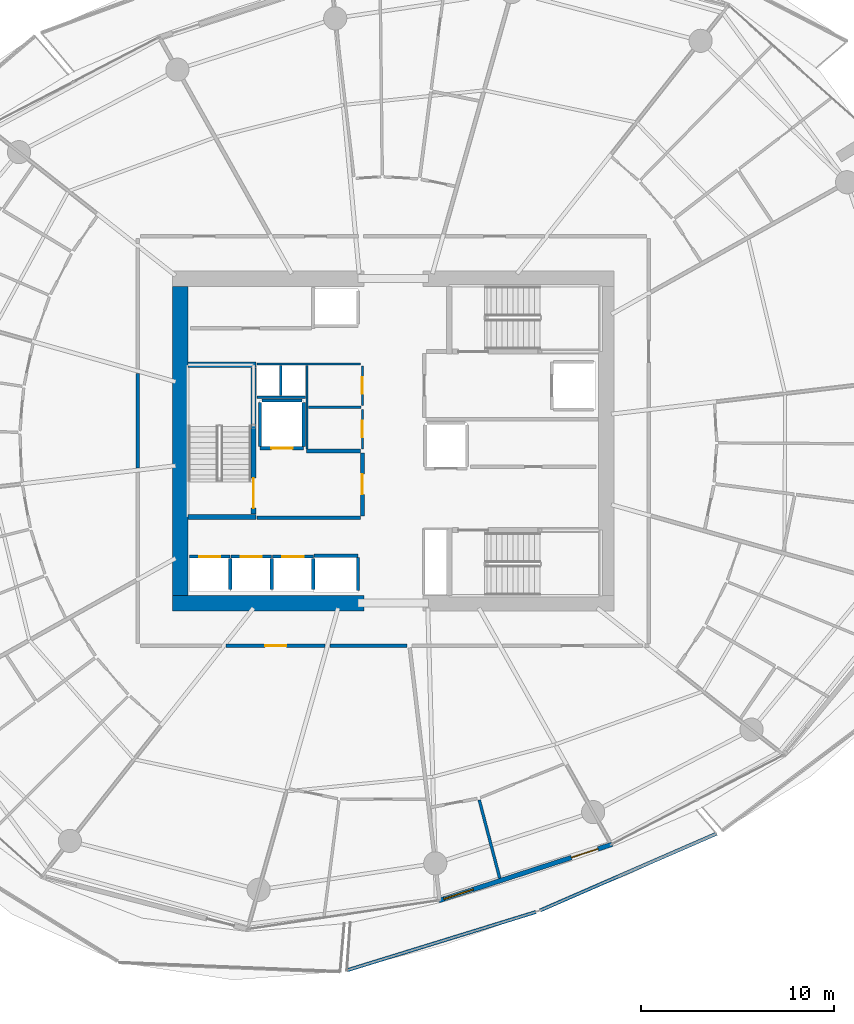
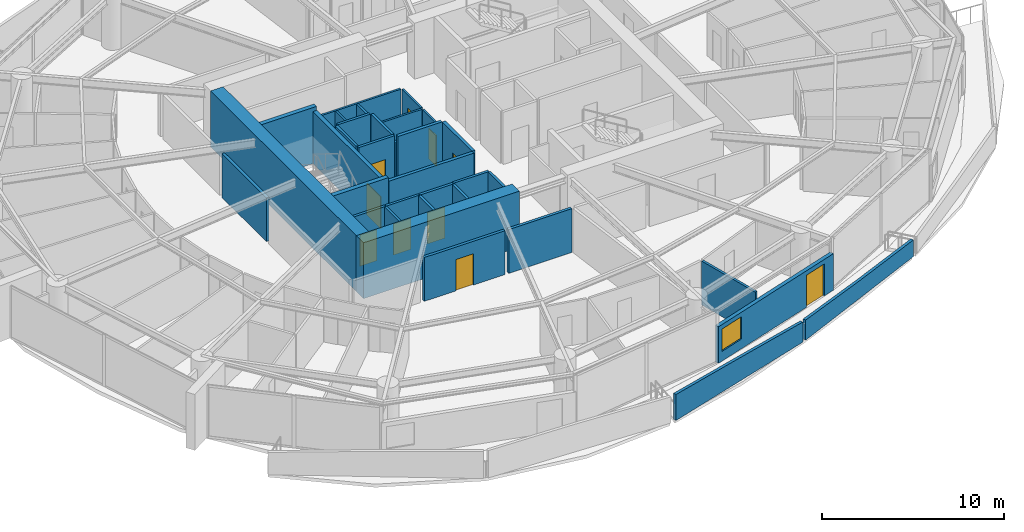
# One storey, part 12 of 23: 34 walls, 10 doors, 1 window, 11 openings.
"""IFC4 building model written with IfcOpenShell, lengths in metres."""

from ifc_helpers import new_model, si_unit, direction, frame, frame_2d, origin, place, context, subcontext, project, spatial, polyline, rectangle, outline, extrude, material, layer, layer_set, type_object, element, fill, save


model = new_model("IFC4")

# Units and contexts
model_context = context("Model", 3, precision=1e-05, world=origin(), true_north=direction((0.0, 1.0)))
body_context = subcontext(model_context, "Body", "Model", "MODEL_VIEW")
ifc_project = project(units=[si_unit("LENGTHUNIT", "METRE"), si_unit("AREAUNIT", "SQUARE_METRE"), si_unit("VOLUMEUNIT", "CUBIC_METRE"), si_unit("PLANEANGLEUNIT", "RADIAN"), si_unit("MASSUNIT", "GRAM", prefix="KILO")], contexts=[model_context])

# Site, building, storey
site_placement = place(None, origin())
site = spatial("IfcSite", under=ifc_project, at=site_placement, CompositionType="ELEMENT")
building_placement = place(site_placement, origin())
building = spatial("IfcBuilding", under=site, at=building_placement, Name="Kazma Halo Residences", CompositionType="ELEMENT")
storey_placement = place(building_placement, frame((0.0, 0.0, 82.64990234375)))
storey = spatial("IfcBuildingStorey", under=building, at=storey_placement, Name="L20", CompositionType="ELEMENT", Elevation=82.64990234375)

# Walls
ifc_material_1 = material(Name="White Concrete C50/60 Balustrade", Category="concrete")
ifc_layer_1 = layer(ifc_material_1, 0.179931640625)
ifc_layer_set_1 = layer_set([ifc_layer_1], Name="White Concrete C50/60 Balustrade")
wall_type_1 = type_object("IfcWallType", Name="WL-BAL-WAVE-180", PredefinedType="PARAPET", material=ifc_layer_set_1)
wall_1_placement = place(storey_placement, frame((46.011474609375, 14.594482421875, 0.0), z_axis=(0.0, 0.0, 1.0), x_axis=(0.955530222606, 0.294893190301, 0.0)))
element("IfcWall", 1, at=wall_1_placement, inside=storey, type_object=wall_type_1, Name="L20 white wave balustrade wall SSE.1", PredefinedType="PARAPET", context=body_context, shape_type="SweptSolid", body=[
    extrude(outline(polyline([(0.0, 0.0), (10.240966796875, 0.0), (10.240966796875, 1.34814453125), (5.12060546875, 1.56201171875), (0.0, 1.7470703125), (0.0, 0.0)])), frame((0.0, 0.08984375, 0.0), z_axis=(0.0, -1.0, 0.0), x_axis=(1.0, 0.0, 0.0)), (0.0, 0.0, 1.0), 0.179931640625),
])
wall_2_placement = place(storey_placement, frame((56.021728515625, 17.69775390625, 0.0), z_axis=(0.0, 0.0, 1.0), x_axis=(0.916910512906, 0.399092860527, 0.0)))
element("IfcWall", 2, at=wall_2_placement, inside=storey, type_object=wall_type_1, Name="L20 white wave balustrade wall SSE.2", PredefinedType="PARAPET", context=body_context, shape_type="SweptSolid", body=[
    extrude(outline(polyline([(0.0, 0.0), (9.954833984375, 0.0), (9.95458984375, 1.1201171875), (4.977294921875, 1.18212890625), (0.0, 1.34814453125), (0.0, 0.0)])), frame((0.0, 0.08984375, 0.0), z_axis=(0.0, -1.0, 0.0), x_axis=(1.0, 0.0, 0.0)), (0.0, 0.0, 1.0), 0.179931640625),
])
ifc_material_2 = material(Name="Concrete C80/95", Category="concrete")
ifc_layer_2 = layer(ifc_material_2, 0.800048828125)
ifc_layer_set_2 = layer_set([ifc_layer_2], Name="Concrete C80/95")
wall_type_2 = type_object("IfcWallType", Name="WL-CORE-800", PredefinedType="SHEAR", material=ifc_layer_set_2)
wall_3_placement = place(storey_placement, frame((37.0, 33.60009765625, 0.0), z_axis=(0.0, 0.0, 1.0), x_axis=(1.0, 0.0, 0.0)))
element("IfcWall", 3, at=wall_3_placement, inside=storey, type_object=wall_type_2, Name="L20 central core shear wall SW", PredefinedType="SHEAR", context=body_context, shape_type="SweptSolid", body=[
    extrude(rectangle(XDim=9.89990234375, YDim=0.800048828125, at=frame_2d((4.949951171875, 0.0))), origin(), (0.0, 0.0, 1.0), 3.75),
])
wall_4_placement = place(storey_placement, frame((37.39990234375, 34.0, 0.0), z_axis=(0.0, 0.0, 1.0), x_axis=(0.0, 1.0, 0.0)))
element("IfcWall", 4, at=wall_4_placement, inside=storey, type_object=wall_type_2, Name="L20 central core shear wall W", PredefinedType="SHEAR", context=body_context, shape_type="SweptSolid", body=[
    extrude(rectangle(XDim=16.0, YDim=0.800048828125, at=frame_2d((8.0, 0.0))), origin(), (0.0, 0.0, 1.0), 3.75),
])
ifc_material_3 = material(Name="Concrete C60/75", Category="concrete")
ifc_layer_3 = layer(ifc_material_3, 0.280029296875)
ifc_layer_set_3 = layer_set([ifc_layer_3], Name="Concrete C60/75")
wall_type_3 = type_object("IfcWallType", Name="WL-CORE-ST-280", PredefinedType="SHEAR", material=ifc_layer_set_3)
for number, where, z_axis, x_axis, name in (
    (5, (37.800048828125, 38.06005859375, 0.0), (0.0, 0.0, 1.0), (1.0, 0.0, 0.0), "L20 stairwell bearing wall ST01-S"),
    (6, (37.800048828125, 45.93994140625, 0.0), (0.0, 0.0, 1.0), (1.0, 0.0, 0.0), "L20 stairwell bearing wall ST01-N"),
):
    element("IfcWall", number, at=place(storey_placement, frame(where, z_axis=z_axis, x_axis=x_axis)), inside=storey, type_object=wall_type_3, Name=name, PredefinedType="SHEAR", context=body_context, shape_type="SweptSolid", body=[
        extrude(rectangle(XDim=3.5, YDim=0.280029296875, at=frame_2d((1.75, 0.0))), origin(), (0.0, 0.0, 1.0), 3.75),
    ])
ifc_material_4 = material(Name="Acoustic Twin-Stud Gypsum")
ifc_layer_4 = layer(ifc_material_4, 0.179931640625)
ifc_layer_set_4 = layer_set([ifc_layer_4], Name="Acoustic Twin-Stud Gypsum")
wall_type_4 = type_object("IfcWallType", Name="WL-DEM-180", PredefinedType="PARTITIONING", material=ifc_layer_set_4)
wall_5_placement = place(storey_placement, frame((35.199951171875, 45.489990234375, 0.0), z_axis=(0.0, 0.0, 1.0), x_axis=(0.0, -1.0, 0.0)))
element("IfcWall", 7, at=wall_5_placement, inside=storey, type_object=wall_type_4, Name="L20 Apartment 1 inner wall 6", PredefinedType="PARTITIONING", context=body_context, shape_type="SweptSolid", body=[
    extrude(rectangle(XDim=4.885009765625, YDim=0.179931640625, at=frame_2d((2.4423828125, 0.0))), origin(), (0.0, 0.0, 1.0), 2.940185546875),
])

# Wall, opening, door
wall_6_placement = place(storey_placement, frame((39.763671875, 31.39990234375, 0.0), z_axis=(0.0, 0.0, 1.0), x_axis=(1.0, 0.0, 0.0)))
wall_6 = element("IfcWall", 8, at=wall_6_placement, inside=storey, type_object=wall_type_4, Name="L20 Apartment 2 entrance corridor wall", PredefinedType="PARTITIONING", context=body_context, shape_type="SweptSolid", body=[
    extrude(rectangle(XDim=5.126708984375, YDim=0.179931640625, at=frame_2d((2.5634765625, 0.0))), origin(), (0.0, 0.0, 1.0), 2.940185546875),
])
opening_1_placement = place(wall_6_placement, frame((2.013427734375, 0.0, 0.0)))
opening_1 = element("IfcOpeningElement", 9, at=opening_1_placement, cuts=wall_6, Name="Opening DA-1100", PredefinedType="OPENING", context=body_context, shape_type="SweptSolid", body=[
    extrude(rectangle(XDim=1.10009765625, YDim=2.10009765625, at=frame_2d((0.550048828125, 1.050048828125))), frame((0.0, 0.099853515625, 0.0), z_axis=(0.0, -1.0, 0.0), x_axis=(1.0, 0.0, 0.0)), (0.0, 0.0, 1.0), 0.199951171875),
])
ifc_material_5 = material(Name="Acoustic Walnut Fire Leaf")
door_type_1 = type_object("IfcDoorType", Name="DR-FD60-1100", OperationType="NOTDEFINED", PredefinedType="DOOR", material=ifc_material_5)
door_1_placement = place(opening_1_placement, origin())
door_1 = element("IfcDoor", 10, at=door_1_placement, inside=storey, type_object=door_type_1, Name="L20 Apartment 2 entrance fire door", OperationType="SINGLE_SWING_LEFT", OverallHeight=2.10009765625, OverallWidth=1.10009765625, PredefinedType="DOOR", context=body_context, shape_type="SweptSolid", body=[
    extrude(rectangle(XDim=1.10009765625, YDim=2.10009765625, at=frame_2d((0.550048828125, 1.050048828125))), frame((0.0, 0.02490234375, 0.0), z_axis=(0.0, -1.0, 0.0), x_axis=(1.0, 0.0, 0.0)), (0.0, 0.0, 1.0), 0.050048828125),
])
fill(opening_1, door_1)

# Wall
wall_7_placement = place(storey_placement, frame((45.130615234375, 31.39990234375, 0.0), z_axis=(0.0, 0.0, 1.0), x_axis=(1.0, 0.0, 0.0)))
element("IfcWall", 11, at=wall_7_placement, inside=storey, type_object=wall_type_4, Name="L20 Apartment 2 inner wall 10", PredefinedType="PARTITIONING", context=body_context, shape_type="SweptSolid", body=[
    extrude(rectangle(XDim=4.00390625, YDim=0.179931640625, at=frame_2d((2.001953125, 0.0))), origin(), (0.0, 0.0, 1.0), 2.940185546875),
])

# Wall, openings, door, window
ifc_material_6 = material(Name="Insulated Pale-Metal Composite Wall")
ifc_layer_5 = layer(ifc_material_6, 0.239990234375)
ifc_layer_set_5 = layer_set([ifc_layer_5], Name="Insulated Pale-Metal Composite Wall")
wall_type_5 = type_object("IfcWallType", Name="WL-EXT-HOST-240", PredefinedType="SOLIDWALL", material=ifc_layer_set_5)
wall_8_placement = place(storey_placement, frame((50.76708984375, 18.202880859375, 0.0), z_axis=(0.0, 0.0, 1.0), x_axis=(0.951052494852, 0.30902937083, 0.0)))
wall_8 = element("IfcWall", 12, at=wall_8_placement, inside=storey, type_object=wall_type_5, Name="L20 exterior terrace-access wall B12", PredefinedType="SOLIDWALL", context=body_context, shape_type="SweptSolid", body=[
    extrude(rectangle(XDim=9.44384765625, YDim=0.239990234375, at=frame_2d((4.721923828125, 0.0))), origin(), (0.0, 0.0, 1.0), 2.4501953125),
])
opening_2_placement = place(wall_8_placement, frame((7.223876953125, 0.0, 0.0)))
opening_2 = element("IfcOpeningElement", 13, at=opening_2_placement, cuts=wall_8, Name="Opening DTR-1600", PredefinedType="OPENING", context=body_context, shape_type="SweptSolid", body=[
    extrude(rectangle(XDim=1.449951171875, YDim=2.14990234375, at=frame_2d((0.72509765625, 1.074951171875))), frame((0.0, 0.1298828125, 0.0), z_axis=(0.0, -1.0, 0.0), x_axis=(1.0, 0.0, 0.0)), (0.0, 0.0, 1.0), 0.260009765625),
])
opening_3_placement = place(wall_8_placement, frame((0.280029296875, 0.0, 0.64990234375)))
opening_3 = element("IfcOpeningElement", 14, at=opening_3_placement, cuts=wall_8, Name="Opening W-1800", PredefinedType="OPENING", context=body_context, shape_type="SweptSolid", body=[
    extrude(rectangle(XDim=1.60009765625, YDim=1.5, at=frame_2d((0.800048828125, 0.75))), frame((0.0, 0.1298828125, 0.0), z_axis=(0.0, -1.0, 0.0), x_axis=(1.0, 0.0, 0.0)), (0.0, 0.0, 1.0), 0.260009765625),
])
ifc_material_7 = material(Name="Aluminium AW-6063 T6 Double-Glazed Terrace Door", Category="aluminium")
door_type_2 = type_object("IfcDoorType", Name="DR-EXT-TERR-1600", OperationType="NOTDEFINED", PredefinedType="DOOR", material=ifc_material_7)
door_2_placement = place(opening_2_placement, origin())
door_2 = element("IfcDoor", 15, at=door_2_placement, inside=storey, type_object=door_type_2, Name="L20 B12 balcony terrace door", OperationType="DOUBLE_DOOR_SLIDING", OverallHeight=2.14990234375, OverallWidth=1.449951171875, PredefinedType="DOOR", context=body_context, shape_type="SweptSolid", body=[
    extrude(rectangle(XDim=1.449951171875, YDim=2.14990234375, at=frame_2d((0.72509765625, 1.074951171875))), frame((0.0, 0.02490234375, 0.0), z_axis=(0.0, -1.0, 0.0), x_axis=(1.0, 0.0, 0.0)), (0.0, 0.0, 1.0), 0.050048828125),
])
fill(opening_2, door_2)
ifc_material_8 = material(Name="Clear Triple-Silver Low-E Glass in Aluminium AW-6063 T6 Frame", Category="aluminium")
window_type = type_object("IfcWindowType", Name="WIN-RES-1800", PartitioningType="DOUBLE_PANEL_VERTICAL", PredefinedType="WINDOW", material=ifc_material_8)
window_placement = place(opening_3_placement, origin())
window = element("IfcWindow", 16, at=window_placement, inside=storey, type_object=window_type, Name="L20 B12 apartment window", OverallHeight=1.5, OverallWidth=1.60009765625, PartitioningType="SINGLE_PANEL", PredefinedType="WINDOW", context=body_context, shape_type="SweptSolid", body=[
    extrude(rectangle(XDim=1.60009765625, YDim=1.5, at=frame_2d((0.800048828125, 0.75))), frame((0.0, 0.030029296875, 0.0), z_axis=(0.0, -1.0, 0.0), x_axis=(1.0, 0.0, 0.0)), (0.0, 0.0, 1.0), 0.06005859375),
])
fill(opening_3, window)

# Wall, opening, door
ifc_material_9 = material(Name="Fire-Rated Blockwork Masonry", Category="masonry")
ifc_layer_6 = layer(ifc_material_9, 0.199951171875)
ifc_layer_set_6 = layer_set([ifc_layer_6], Name="Fire-Rated Blockwork Masonry")
wall_type_6 = type_object("IfcWallType", Name="WL-FLB-200", PredefinedType="PARTITIONING", material=ifc_layer_set_6)
wall_9_placement = place(storey_placement, frame((37.864990234375, 36.0048828125, 0.0), z_axis=(0.0, 0.0, 1.0), x_axis=(1.0, 0.0, 0.0)))
wall_9 = element("IfcWall", 17, at=wall_9_placement, inside=storey, type_object=wall_type_6, Name="L20 lift shaft PL-01 front wall", PredefinedType="PARTITIONING", context=body_context, shape_type="SweptSolid", body=[
    extrude(rectangle(XDim=2.110107421875, YDim=0.159912109375, at=frame_2d((1.05517578125, 0.0))), origin(), (0.0, 0.0, 1.0), 3.5),
])
opening_4_placement = place(wall_9_placement, frame((0.5048828125, 0.0, 0.0)))
opening_4 = element("IfcOpeningElement", 18, at=opening_4_placement, cuts=wall_9, Name="Opening LD-PL-01", PredefinedType="OPENING", context=body_context, shape_type="SweptSolid", body=[
    extrude(rectangle(XDim=1.10009765625, YDim=2.10009765625, at=frame_2d((0.550048828125, 1.050048828125))), frame((0.0, 0.08984375, 0.0), z_axis=(0.0, -1.0, 0.0), x_axis=(1.0, 0.0, 0.0)), (0.0, 0.0, 1.0), 0.179931640625),
])
ifc_material_10 = material(Name="Stainless Steel Fire-Rated", Category="steel")
door_type_3 = type_object("IfcDoorType", Name="DR-LIFT-SLD-1100", OperationType="DOUBLE_DOOR_SLIDING", PredefinedType="DOOR", material=ifc_material_10)
door_3_placement = place(opening_4_placement, origin())
door_3 = element("IfcDoor", 19, at=door_3_placement, inside=storey, type_object=door_type_3, Name="L20 lift PL-01 sliding landing door", OperationType="DOUBLE_DOOR_SLIDING", OverallHeight=2.10009765625, OverallWidth=1.10009765625, PredefinedType="DOOR", context=body_context, shape_type="SweptSolid", body=[
    extrude(rectangle(XDim=1.10009765625, YDim=2.10009765625, at=frame_2d((0.550048828125, 1.050048828125))), frame((0.0, 0.02490234375, 0.0), z_axis=(0.0, -1.0, 0.0), x_axis=(1.0, 0.0, 0.0)), (0.0, 0.0, 1.0), 0.050048828125),
])
fill(opening_4, door_3)

# Wall
wall_10_placement = place(storey_placement, frame((39.97509765625, 34.294921875, 0.0), z_axis=(0.0, 0.0, 1.0), x_axis=(0.0, 1.0, 0.0)))
element("IfcWall", 20, at=wall_10_placement, inside=storey, type_object=wall_type_6, Name="L20 lift shaft PL-01 side wall E", PredefinedType="PARTITIONING", context=body_context, shape_type="SweptSolid", body=[
    extrude(rectangle(XDim=1.610107421875, YDim=0.159912109375, at=frame_2d((0.80517578125, 0.0))), origin(), (0.0, 0.0, 1.0), 3.5),
])

# Wall, opening, door
wall_11_placement = place(storey_placement, frame((40.014892578125, 36.0048828125, 0.0), z_axis=(0.0, 0.0, 1.0), x_axis=(1.0, 0.0, 0.0)))
wall_11 = element("IfcWall", 21, at=wall_11_placement, inside=storey, type_object=wall_type_6, Name="L20 lift shaft PL-02 front wall", PredefinedType="PARTITIONING", context=body_context, shape_type="SweptSolid", body=[
    extrude(rectangle(XDim=2.110107421875, YDim=0.159912109375, at=frame_2d((1.05517578125, 0.0))), origin(), (0.0, 0.0, 1.0), 3.5),
])
opening_5_placement = place(wall_11_placement, frame((0.5048828125, 0.0, 0.0)))
opening_5 = element("IfcOpeningElement", 22, at=opening_5_placement, cuts=wall_11, Name="Opening LD-PL-02", PredefinedType="OPENING", context=body_context, shape_type="SweptSolid", body=[
    extrude(rectangle(XDim=1.10009765625, YDim=2.10009765625, at=frame_2d((0.550048828125, 1.050048828125))), frame((0.0, 0.08984375, 0.0), z_axis=(0.0, -1.0, 0.0), x_axis=(1.0, 0.0, 0.0)), (0.0, 0.0, 1.0), 0.179931640625),
])
door_4_placement = place(opening_5_placement, origin())
door_4 = element("IfcDoor", 23, at=door_4_placement, inside=storey, type_object=door_type_3, Name="L20 lift PL-02 sliding landing door", OperationType="DOUBLE_DOOR_SLIDING", OverallHeight=2.10009765625, OverallWidth=1.10009765625, PredefinedType="DOOR", context=body_context, shape_type="SweptSolid", body=[
    extrude(rectangle(XDim=1.10009765625, YDim=2.10009765625, at=frame_2d((0.550048828125, 1.050048828125))), frame((0.0, 0.02490234375, 0.0), z_axis=(0.0, -1.0, 0.0), x_axis=(1.0, 0.0, 0.0)), (0.0, 0.0, 1.0), 0.050048828125),
])
fill(opening_5, door_4)

# Wall
wall_12_placement = place(storey_placement, frame((42.125, 34.294921875, 0.0), z_axis=(0.0, 0.0, 1.0), x_axis=(0.0, 1.0, 0.0)))
element("IfcWall", 24, at=wall_12_placement, inside=storey, type_object=wall_type_6, Name="L20 lift shaft PL-02 side wall E", PredefinedType="PARTITIONING", context=body_context, shape_type="SweptSolid", body=[
    extrude(rectangle(XDim=1.610107421875, YDim=0.159912109375, at=frame_2d((0.80517578125, 0.0))), origin(), (0.0, 0.0, 1.0), 3.5),
])

# Wall, opening, door
wall_13_placement = place(storey_placement, frame((42.1650390625, 36.0048828125, 0.0), z_axis=(0.0, 0.0, 1.0), x_axis=(1.0, 0.0, 0.0)))
wall_13 = element("IfcWall", 25, at=wall_13_placement, inside=storey, type_object=wall_type_6, Name="L20 lift shaft PL-03 front wall", PredefinedType="PARTITIONING", context=body_context, shape_type="SweptSolid", body=[
    extrude(rectangle(XDim=2.10986328125, YDim=0.159912109375, at=frame_2d((1.054931640625, 0.0))), origin(), (0.0, 0.0, 1.0), 3.5),
])
opening_6_placement = place(wall_13_placement, frame((0.5048828125, 0.0, 0.0)))
opening_6 = element("IfcOpeningElement", 26, at=opening_6_placement, cuts=wall_13, Name="Opening LD-PL-03", PredefinedType="OPENING", context=body_context, shape_type="SweptSolid", body=[
    extrude(rectangle(XDim=1.10009765625, YDim=2.10009765625, at=frame_2d((0.550048828125, 1.050048828125))), frame((0.0, 0.08984375, 0.0), z_axis=(0.0, -1.0, 0.0), x_axis=(1.0, 0.0, 0.0)), (0.0, 0.0, 1.0), 0.179931640625),
])
door_5_placement = place(opening_6_placement, origin())
door_5 = element("IfcDoor", 27, at=door_5_placement, inside=storey, type_object=door_type_3, Name="L20 lift PL-03 sliding landing door", OperationType="DOUBLE_DOOR_SLIDING", OverallHeight=2.10009765625, OverallWidth=1.10009765625, PredefinedType="DOOR", context=body_context, shape_type="SweptSolid", body=[
    extrude(rectangle(XDim=1.10009765625, YDim=2.10009765625, at=frame_2d((0.550048828125, 1.050048828125))), frame((0.0, 0.02490234375, 0.0), z_axis=(0.0, -1.0, 0.0), x_axis=(1.0, 0.0, 0.0)), (0.0, 0.0, 1.0), 0.050048828125),
])
fill(opening_6, door_5)

# Walls
wall_14_placement = place(storey_placement, frame((44.27490234375, 34.294921875, 0.0), z_axis=(0.0, 0.0, 1.0), x_axis=(0.0, 1.0, 0.0)))
element("IfcWall", 28, at=wall_14_placement, inside=storey, type_object=wall_type_6, Name="L20 lift shaft PL-03 side wall E", PredefinedType="PARTITIONING", context=body_context, shape_type="SweptSolid", body=[
    extrude(rectangle(XDim=1.610107421875, YDim=0.159912109375, at=frame_2d((0.80517578125, 0.0))), origin(), (0.0, 0.0, 1.0), 3.5),
])
wall_15_placement = place(storey_placement, frame((44.320068359375, 36.054931640625, 0.0), z_axis=(0.0, 0.0, 1.0), x_axis=(1.0, 0.0, 0.0)))
element("IfcWall", 29, at=wall_15_placement, inside=storey, type_object=wall_type_6, Name="L20 lift shaft PX-02 front wall", PredefinedType="PARTITIONING", context=body_context, shape_type="SweptSolid", body=[
    extrude(rectangle(XDim=2.260009765625, YDim=0.159912109375, at=frame_2d((1.1298828125, 0.0))), origin(), (0.0, 0.0, 1.0), 3.5),
])
wall_16_placement = place(storey_placement, frame((46.580078125, 34.2451171875, 0.0), z_axis=(0.0, 0.0, 1.0), x_axis=(0.0, 1.0, 0.0)))
element("IfcWall", 30, at=wall_16_placement, inside=storey, type_object=wall_type_6, Name="L20 lift shaft PX-02 side wall E", PredefinedType="PARTITIONING", context=body_context, shape_type="SweptSolid", body=[
    extrude(rectangle(XDim=1.7099609375, YDim=0.159912109375, at=frame_2d((0.85498046875, 0.0))), origin(), (0.0, 0.0, 1.0), 3.5),
])

# Wall, opening, door
wall_17_placement = place(storey_placement, frame((43.780029296875, 41.6201171875, 0.0), z_axis=(0.0, 0.0, 1.0), x_axis=(-1.0, 0.0, 0.0)))
wall_17 = element("IfcWall", 31, at=wall_17_placement, inside=storey, type_object=wall_type_6, Name="L20 lift shaft FL-01 front wall", PredefinedType="PARTITIONING", context=body_context, shape_type="SweptSolid", body=[
    extrude(rectangle(XDim=2.260009765625, YDim=0.159912109375, at=frame_2d((1.1298828125, 0.0))), origin(), (0.0, 0.0, 1.0), 3.5),
])
opening_7_placement = place(wall_17_placement, frame((0.580078125, 0.0, 0.0)))
opening_7 = element("IfcOpeningElement", 32, at=opening_7_placement, cuts=wall_17, Name="Opening LD-FL-01", PredefinedType="OPENING", context=body_context, shape_type="SweptSolid", body=[
    extrude(rectangle(XDim=1.10009765625, YDim=2.10009765625, at=frame_2d((0.550048828125, 1.050048828125))), frame((0.0, 0.08984375, 0.0), z_axis=(0.0, -1.0, 0.0), x_axis=(1.0, 0.0, 0.0)), (0.0, 0.0, 1.0), 0.179931640625),
])
door_6_placement = place(opening_7_placement, origin())
door_6 = element("IfcDoor", 33, at=door_6_placement, inside=storey, type_object=door_type_3, Name="L20 lift FL-01 sliding landing door", OperationType="DOUBLE_DOOR_SLIDING", OverallHeight=2.10009765625, OverallWidth=1.10009765625, PredefinedType="DOOR", context=body_context, shape_type="SweptSolid", body=[
    extrude(rectangle(XDim=1.10009765625, YDim=2.10009765625, at=frame_2d((0.550048828125, 1.050048828125))), frame((0.0, 0.02490234375, 0.0), z_axis=(0.0, -1.0, 0.0), x_axis=(1.0, 0.0, 0.0)), (0.0, 0.0, 1.0), 0.050048828125),
])
fill(opening_7, door_6)

# Walls
for number, where, z_axis, x_axis, name in (
    (34, (43.780029296875, 41.719970703125, 0.0), (0.0, 0.0, 1.0), (0.0, 1.0, 0.0), "L20 lift shaft FL-01 side wall E"),
    (35, (41.52001953125, 41.719970703125, 0.0), (0.0, 0.0, 1.0), (0.0, 1.0, 0.0), "L20 lift shaft FL-01 side wall W"),
):
    element("IfcWall", number, at=place(storey_placement, frame(where, z_axis=z_axis, x_axis=x_axis)), inside=storey, type_object=wall_type_6, Name=name, PredefinedType="PARTITIONING", context=body_context, shape_type="SweptSolid", body=[
        extrude(rectangle(XDim=2.260009765625, YDim=0.159912109375, at=frame_2d((1.1298828125, 0.0))), origin(), (0.0, 0.0, 1.0), 3.5),
    ])
wall_18_placement = place(storey_placement, frame((41.6201171875, 44.080078125, 0.0), z_axis=(0.0, 0.0, 1.0), x_axis=(1.0, 0.0, 0.0)))
element("IfcWall", 36, at=wall_18_placement, inside=storey, type_object=wall_type_6, Name="L20 lift shaft FL-01 side wall N", PredefinedType="PARTITIONING", context=body_context, shape_type="SweptSolid", body=[
    extrude(rectangle(XDim=2.059814453125, YDim=0.159912109375, at=frame_2d((1.02978515625, 0.0))), origin(), (0.0, 0.0, 1.0), 3.5),
])
wall_19_placement = place(storey_placement, frame((41.35009765625, 38.02001953125, 0.0), z_axis=(0.0, 0.0, 1.0), x_axis=(1.0, 0.0, 0.0)))
element("IfcWall", 37, at=wall_19_placement, inside=storey, type_object=wall_type_6, Name="L20 west firefighting lobby south smoke wall", PredefinedType="PARTITIONING", context=body_context, shape_type="SweptSolid", body=[
    extrude(rectangle(XDim=5.369873046875, YDim=0.199951171875, at=frame_2d((2.68505859375, 0.0))), origin(), (0.0, 0.0, 1.0), 3.5),
])
wall_20_placement = place(storey_placement, frame((43.919921875, 41.47998046875, 0.0), z_axis=(0.0, 0.0, 1.0), x_axis=(1.0, 0.0, 0.0)))
element("IfcWall", 38, at=wall_20_placement, inside=storey, type_object=wall_type_6, Name="L20 west firefighting lobby north smoke wall", PredefinedType="PARTITIONING", context=body_context, shape_type="SweptSolid", body=[
    extrude(rectangle(XDim=2.800048828125, YDim=0.199951171875, at=frame_2d((1.39990234375, 0.0))), origin(), (0.0, 0.0, 1.0), 3.5),
])

# Wall, opening, door
wall_21_placement = place(storey_placement, frame((46.820068359375, 38.1201171875, 0.0), z_axis=(0.0, 0.0, 1.0), x_axis=(0.0, 1.0, 0.0)))
wall_21 = element("IfcWall", 39, at=wall_21_placement, inside=storey, type_object=wall_type_6, Name="L20 west firefighting lobby smoke wall", PredefinedType="PARTITIONING", context=body_context, shape_type="SweptSolid", body=[
    extrude(rectangle(XDim=3.259765625, YDim=0.199951171875, at=frame_2d((1.6298828125, 0.0))), origin(), (0.0, 0.0, 1.0), 3.5),
])
opening_8_placement = place(wall_21_placement, frame((1.10498046875, 0.0, 0.0)))
opening_8 = element("IfcOpeningElement", 40, at=opening_8_placement, cuts=wall_21, Name="Opening D-FLW", PredefinedType="OPENING", context=body_context, shape_type="SweptSolid", body=[
    extrude(rectangle(XDim=1.050048828125, YDim=2.10009765625, at=frame_2d((0.52490234375, 1.050048828125))), frame((0.0, 0.10986328125, 0.0), z_axis=(0.0, -1.0, 0.0), x_axis=(1.0, 0.0, 0.0)), (0.0, 0.0, 1.0), 0.219970703125),
])
ifc_material_11 = material(Name="Fire-Rated Steel Leaf", Category="steel")
door_type_4 = type_object("IfcDoorType", Name="DR-FD90-1050", OperationType="NOTDEFINED", PredefinedType="DOOR", material=ifc_material_11)
door_7_placement = place(opening_8_placement, origin())
door_7 = element("IfcDoor", 41, at=door_7_placement, inside=storey, type_object=door_type_4, Name="L20 west firefighting lobby smoke door", OperationType="SINGLE_SWING_LEFT", OverallHeight=2.10009765625, OverallWidth=1.050048828125, PredefinedType="DOOR", context=body_context, shape_type="SweptSolid", body=[
    extrude(rectangle(XDim=1.050048828125, YDim=2.10009765625, at=frame_2d((0.52490234375, 1.050048828125))), frame((0.0, 0.02490234375, 0.0), z_axis=(0.0, -1.0, 0.0), x_axis=(1.0, 0.0, 0.0)), (0.0, 0.0, 1.0), 0.050048828125),
])
fill(opening_8, door_7)

# Walls
ifc_material_12 = material(Name="Gypsum Plasterboard Partition")
ifc_layer_7 = layer(ifc_material_12, 0.125)
ifc_layer_set_7 = layer_set([ifc_layer_7], Name="Gypsum Plasterboard Partition")
wall_type_7 = type_object("IfcWallType", Name="WL-PART-125", PredefinedType="PARTITIONING", material=ifc_layer_set_7)
wall_22_placement = place(storey_placement, frame((41.360107421875, 45.97998046875, 0.0), z_axis=(0.0, 0.0, 1.0), x_axis=(1.0, 0.0, 0.0)))
element("IfcWall", 42, at=wall_22_placement, inside=storey, type_object=wall_type_7, Name="L20 core north riser wall", PredefinedType="PARTITIONING", context=body_context, shape_type="SweptSolid", body=[
    extrude(rectangle(XDim=5.35986328125, YDim=0.125, at=frame_2d((2.679931640625, 0.0))), origin(), (0.0, 0.0, 1.0), 2.940185546875),
])
wall_23_placement = place(storey_placement, frame((41.360107421875, 44.260009765625, 0.0), z_axis=(0.0, 0.0, 1.0), x_axis=(1.0, 0.0, 0.0)))
element("IfcWall", 43, at=wall_23_placement, inside=storey, type_object=wall_type_7, Name="L20 core riser south wall", PredefinedType="PARTITIONING", context=body_context, shape_type="SweptSolid", body=[
    extrude(rectangle(XDim=2.5, YDim=0.125, at=frame_2d((1.25, 0.0))), origin(), (0.0, 0.0, 1.0), 2.940185546875),
])
wall_24_placement = place(storey_placement, frame((42.60009765625, 44.35009765625, 0.0), z_axis=(0.0, 0.0, 1.0), x_axis=(0.0, 1.0, 0.0)))
element("IfcWall", 44, at=wall_24_placement, inside=storey, type_object=wall_type_7, Name="L20 core riser divider wall", PredefinedType="PARTITIONING", context=body_context, shape_type="SweptSolid", body=[
    extrude(rectangle(XDim=1.5498046875, YDim=0.125, at=frame_2d((0.77490234375, 0.0))), origin(), (0.0, 0.0, 1.0), 2.940185546875),
])
wall_25_placement = place(storey_placement, frame((43.949951171875, 41.580078125, 0.0), z_axis=(0.0, 0.0, 1.0), x_axis=(0.0, 1.0, 0.0)))
element("IfcWall", 45, at=wall_25_placement, inside=storey, type_object=wall_type_7, Name="L20 core service west wall", PredefinedType="PARTITIONING", context=body_context, shape_type="SweptSolid", body=[
    extrude(rectangle(XDim=4.31982421875, YDim=0.125, at=frame_2d((2.159912109375, 0.0))), origin(), (0.0, 0.0, 1.0), 2.940185546875),
])
wall_26_placement = place(storey_placement, frame((44.030029296875, 43.72998046875, 0.0), z_axis=(0.0, 0.0, 1.0), x_axis=(1.0, 0.0, 0.0)))
element("IfcWall", 46, at=wall_26_placement, inside=storey, type_object=wall_type_7, Name="L20 switch/IDF divider", PredefinedType="PARTITIONING", context=body_context, shape_type="SweptSolid", body=[
    extrude(rectangle(XDim=2.7099609375, YDim=0.125, at=frame_2d((1.35498046875, 0.0))), origin(), (0.0, 0.0, 1.0), 2.940185546875),
])

# Wall, opening, door
wall_27_placement = place(storey_placement, frame((46.820068359375, 41.580078125, 0.0), z_axis=(0.0, 0.0, 1.0), x_axis=(0.0, 1.0, 0.0)))
wall_27 = element("IfcWall", 47, at=wall_27_placement, inside=storey, type_object=wall_type_7, Name="L20 electrical switch room east wall", PredefinedType="PARTITIONING", context=body_context, shape_type="SweptSolid", body=[
    extrude(rectangle(XDim=2.0498046875, YDim=0.125, at=frame_2d((1.02490234375, 0.0))), origin(), (0.0, 0.0, 1.0), 2.940185546875),
])
opening_9_placement = place(wall_27_placement, frame((0.60009765625, 0.0, 0.0)))
opening_9 = element("IfcOpeningElement", 48, at=opening_9_placement, cuts=wall_27, Name="Opening DS-850", PredefinedType="OPENING", context=body_context, shape_type="SweptSolid", body=[
    extrude(rectangle(XDim=0.85009765625, YDim=2.06005859375, at=frame_2d((0.425048828125, 1.030029296875))), frame((0.0, 0.072509765625, 0.0), z_axis=(0.0, -1.0, 0.0), x_axis=(1.0, 0.0, 0.0)), (0.0, 0.0, 1.0), 0.14501953125),
])
ifc_material_13 = material(Name="Painted Steel Access Leaf", Category="steel")
door_type_5 = type_object("IfcDoorType", Name="DR-SVC-850", OperationType="NOTDEFINED", PredefinedType="DOOR", material=ifc_material_13)
door_8_placement = place(opening_9_placement, origin())
door_8 = element("IfcDoor", 49, at=door_8_placement, inside=storey, type_object=door_type_5, Name="L20 electrical switch room door", OperationType="SINGLE_SWING_LEFT", OverallHeight=2.06005859375, OverallWidth=0.85009765625, PredefinedType="DOOR", context=body_context, shape_type="SweptSolid", body=[
    extrude(rectangle(XDim=0.85009765625, YDim=2.06005859375, at=frame_2d((0.425048828125, 1.030029296875))), frame((0.0, 0.02490234375, 0.0), z_axis=(0.0, -1.0, 0.0), x_axis=(1.0, 0.0, 0.0)), (0.0, 0.0, 1.0), 0.050048828125),
])
fill(opening_9, door_8)

wall_28_placement = place(storey_placement, frame((46.820068359375, 43.830078125, 0.0), z_axis=(0.0, 0.0, 1.0), x_axis=(0.0, 1.0, 0.0)))
wall_28 = element("IfcWall", 50, at=wall_28_placement, inside=storey, type_object=wall_type_7, Name="L20 telecom IDF room east wall", PredefinedType="PARTITIONING", context=body_context, shape_type="SweptSolid", body=[
    extrude(rectangle(XDim=2.0498046875, YDim=0.125, at=frame_2d((1.02490234375, 0.0))), origin(), (0.0, 0.0, 1.0), 2.940185546875),
])
opening_10_placement = place(wall_28_placement, frame((0.60009765625, 0.0, 0.0)))
opening_10 = element("IfcOpeningElement", 51, at=opening_10_placement, cuts=wall_28, Name="Opening DS-850", PredefinedType="OPENING", context=body_context, shape_type="SweptSolid", body=[
    extrude(rectangle(XDim=0.85009765625, YDim=2.06005859375, at=frame_2d((0.425048828125, 1.030029296875))), frame((0.0, 0.072509765625, 0.0), z_axis=(0.0, -1.0, 0.0), x_axis=(1.0, 0.0, 0.0)), (0.0, 0.0, 1.0), 0.14501953125),
])
door_9_placement = place(opening_10_placement, origin())
door_9 = element("IfcDoor", 52, at=door_9_placement, inside=storey, type_object=door_type_5, Name="L20 telecom IDF room door", OperationType="SINGLE_SWING_RIGHT", OverallHeight=2.06005859375, OverallWidth=0.85009765625, PredefinedType="DOOR", context=body_context, shape_type="SweptSolid", body=[
    extrude(rectangle(XDim=0.85009765625, YDim=2.06005859375, at=frame_2d((0.425048828125, 1.030029296875))), frame((0.0, 0.02490234375, 0.0), z_axis=(0.0, -1.0, 0.0), x_axis=(1.0, 0.0, 0.0)), (0.0, 0.0, 1.0), 0.050048828125),
])
fill(opening_10, door_9)

ifc_material_14 = material(Name="Concrete C50/60", Category="concrete")
ifc_layer_8 = layer(ifc_material_14, 0.25)
ifc_layer_set_8 = layer_set([ifc_layer_8], Name="Concrete C50/60")
wall_type_8 = type_object("IfcWallType", Name="WL-SHF-250", PredefinedType="SOLIDWALL", material=ifc_layer_set_8)
wall_29_placement = place(storey_placement, frame((41.179931640625, 38.219970703125, 0.0), z_axis=(0.0, 0.0, 1.0), x_axis=(0.0, 1.0, 0.0)))
wall_29 = element("IfcWall", 53, at=wall_29_placement, inside=storey, type_object=wall_type_8, Name="L20 exit stair ST-01 enclosure wall", PredefinedType="SOLIDWALL", context=body_context, shape_type="SweptSolid", body=[
    extrude(rectangle(XDim=7.56005859375, YDim=0.25, at=frame_2d((3.780029296875, 0.0))), origin(), (0.0, 0.0, 1.0), 3.5),
])
opening_11_placement = place(wall_29_placement, frame((0.300048828125, 0.0, 0.0)))
opening_11 = element("IfcOpeningElement", 54, at=opening_11_placement, cuts=wall_29, Name="Opening D-ST1", PredefinedType="OPENING", context=body_context, shape_type="SweptSolid", body=[
    extrude(rectangle(XDim=1.550048828125, YDim=2.14990234375, at=frame_2d((0.77490234375, 1.074951171875))), frame((0.0, 0.135009765625, 0.0), z_axis=(0.0, -1.0, 0.0), x_axis=(1.0, 0.0, 0.0)), (0.0, 0.0, 1.0), 0.27001953125),
])
ifc_material_15 = material(Name="Fire-Rated Double Steel Leaf", Category="steel")
door_type_6 = type_object("IfcDoorType", Name="DR-FD90-1550", OperationType="NOTDEFINED", PredefinedType="DOOR", material=ifc_material_15)
door_10_placement = place(opening_11_placement, origin())
door_10 = element("IfcDoor", 55, at=door_10_placement, inside=storey, type_object=door_type_6, Name="L20 exit stair ST-01 fire door", OperationType="DOUBLE_DOOR_SINGLE_SWING", OverallHeight=2.14990234375, OverallWidth=1.550048828125, PredefinedType="DOOR", context=body_context, shape_type="SweptSolid", body=[
    extrude(rectangle(XDim=1.550048828125, YDim=2.14990234375, at=frame_2d((0.77490234375, 1.074951171875))), frame((0.0, 0.02490234375, 0.0), z_axis=(0.0, -1.0, 0.0), x_axis=(1.0, 0.0, 0.0)), (0.0, 0.0, 1.0), 0.050048828125),
])
fill(opening_11, door_10)

# Wall
ifc_material_16 = material(Name="Moisture-Resistant Gypsum")
ifc_layer_9 = layer(ifc_material_16, 0.14990234375)
ifc_layer_set_9 = layer_set([ifc_layer_9], Name="Moisture-Resistant Gypsum")
wall_type_9 = type_object("IfcWallType", Name="WL-WET-150", PredefinedType="PARTITIONING", material=ifc_layer_set_9)
wall_30_placement = place(storey_placement, frame((52.865478515625, 23.414306640625, 0.0), z_axis=(0.0, 0.0, 1.0), x_axis=(0.253228265637, -0.96740655646, 0.0)))
element("IfcWall", 56, at=wall_30_placement, inside=storey, type_object=wall_type_9, Name="L20 Apartment 3 Guest Bathroom side wall", PredefinedType="PARTITIONING", context=body_context, shape_type="SweptSolid", body=[
    extrude(rectangle(XDim=4.18994140625, YDim=0.14990234375, at=frame_2d((2.094970703125, 0.0))), origin(), (0.0, 0.0, 1.0), 2.940185546875),
])

save(model, "model.ifc")
